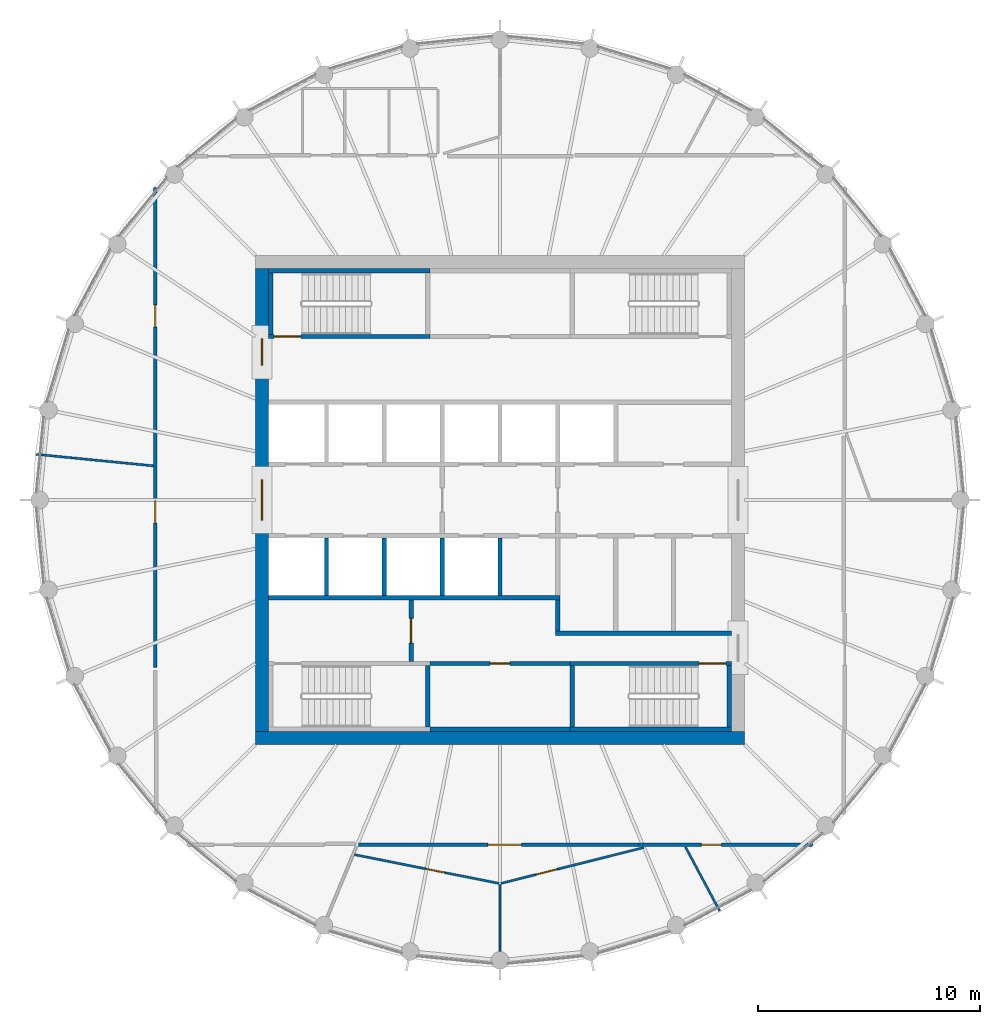
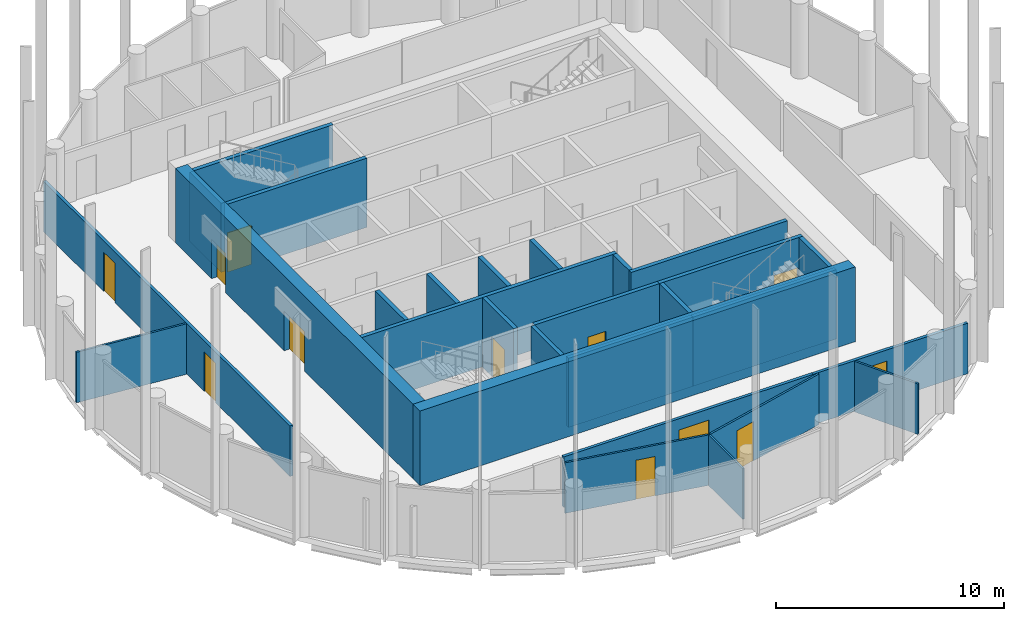
# One storey, part 4 of 7: 28 walls, 12 doors, 12 openings.
"""IFC4 building model written with IfcOpenShell, lengths in metres."""

from ifc_helpers import new_model, si_unit, direction, frame, frame_2d, origin, place, context, subcontext, project, spatial, polyline, rectangle, outline, extrude, material, layer, layer_set, type_object, element, fill, save


model = new_model("IFC4")

# Units and contexts
model_context = context("Model", 3, precision=1e-05, world=origin(), true_north=direction((0.0, 1.0)))
body_context = subcontext(model_context, "Body", "Model", "MODEL_VIEW")
ifc_project = project(units=[si_unit("LENGTHUNIT", "METRE"), si_unit("AREAUNIT", "SQUARE_METRE"), si_unit("VOLUMEUNIT", "CUBIC_METRE"), si_unit("PLANEANGLEUNIT", "RADIAN"), si_unit("MASSUNIT", "GRAM", prefix="KILO")], contexts=[model_context])

# Site, building, storey
site_placement = place(None, origin())
site = spatial("IfcSite", under=ifc_project, at=site_placement, CompositionType="ELEMENT")
building_placement = place(site_placement, origin())
building = spatial("IfcBuilding", under=site, at=building_placement, Name="Corvane Civic Tower", CompositionType="ELEMENT")
storey_placement = place(building_placement, frame((0.0, 0.0, 368.5)))
storey = spatial("IfcBuildingStorey", under=building, at=storey_placement, Name="L88", CompositionType="ELEMENT", Elevation=368.5)

# Wall
ifc_material_1 = material(Name="Concrete C40/50", Category="concrete")
ifc_layer_1 = layer(ifc_material_1, 0.60009765625)
ifc_layer_set_1 = layer_set([ifc_layer_1], Name="Concrete C40/50")
wall_type_1 = type_object("IfcWallType", Name="CORE WALL 600 C40/50", PredefinedType="SHEAR", material=ifc_layer_set_1)
wall_1_placement = place(storey_placement, frame((-11.0, -10.699951171875, 0.0), z_axis=(0.0, 0.0, 1.0), x_axis=(1.0, 0.0, 0.0)))
element("IfcWall", 1, at=wall_1_placement, inside=storey, type_object=wall_type_1, Name="W-L88-core-S", PredefinedType="SHEAR", context=body_context, shape_type="SweptSolid", body=[
    extrude(rectangle(XDim=22.0, YDim=0.60009765625, at=frame_2d((11.0, 0.0))), origin(), (0.0, 0.0, 1.0), 4.0),
])

# Wall, openings, doors
wall_2_placement = place(storey_placement, frame((-10.699951171875, -10.39990234375, 0.0), z_axis=(0.0, 0.0, 1.0), x_axis=(0.0, 1.0, 0.0)))
wall_2 = element("IfcWall", 2, at=wall_2_placement, inside=storey, type_object=wall_type_1, Name="W-L88-core-W", PredefinedType="SHEAR", context=body_context, shape_type="SweptSolid", body=[
    extrude(rectangle(XDim=20.7998046875, YDim=0.60009765625, at=frame_2d((10.39990234375, 0.0))), origin(), (0.0, 0.0, 1.0), 4.0),
])
opening_1_placement = place(wall_2_placement, frame((9.5, 0.0, 0.0)))
opening_1 = element("IfcOpeningElement", 3, at=opening_1_placement, cuts=wall_2, Name="Opening L88.C15", PredefinedType="OPENING", context=body_context, shape_type="SweptSolid", body=[
    extrude(rectangle(XDim=1.800048828125, YDim=2.10009765625, at=frame_2d((0.89990234375, 1.050048828125))), frame((0.0, 0.31005859375, 0.0), z_axis=(0.0, -1.0, 0.0), x_axis=(1.0, 0.0, 0.0)), (0.0, 0.0, 1.0), 0.6201171875),
])
opening_2_placement = place(wall_2_placement, frame((16.449951171875, 0.0, 0.0)))
opening_2 = element("IfcOpeningElement", 4, at=opening_2_placement, cuts=wall_2, Name="Opening L88.C17", PredefinedType="OPENING", context=body_context, shape_type="SweptSolid", body=[
    extrude(rectangle(XDim=1.199951171875, YDim=2.10009765625, at=frame_2d((0.60009765625, 1.050048828125))), frame((0.0, 0.31005859375, 0.0), z_axis=(0.0, -1.0, 0.0), x_axis=(1.0, 0.0, 0.0)), (0.0, 0.0, 1.0), 0.6201171875),
])
ifc_material_2 = material(Name="Steel fire door leaf", Category="steel")
door_type_1 = type_object("IfcDoorType", Name="CR-DOOR-CORE-1800", OperationType="DOUBLE_DOOR_SINGLE_SWING", PredefinedType="DOOR", material=ifc_material_2)
door_1_placement = place(opening_1_placement, origin())
door_1 = element("IfcDoor", 5, at=door_1_placement, inside=storey, type_object=door_type_1, Name="L88 door", OperationType="DOUBLE_DOOR_SINGLE_SWING", OverallHeight=2.10009765625, OverallWidth=1.800048828125, PredefinedType="DOOR", context=body_context, shape_type="SweptSolid", body=[
    extrude(rectangle(XDim=1.800048828125, YDim=2.10009765625, at=frame_2d((0.89990234375, 1.050048828125))), frame((0.0, 0.02490234375, 0.0), z_axis=(0.0, -1.0, 0.0), x_axis=(1.0, 0.0, 0.0)), (0.0, 0.0, 1.0), 0.050048828125),
])
fill(opening_1, door_1)
door_2_placement = place(opening_2_placement, origin())
door_2 = element("IfcDoor", 6, at=door_2_placement, inside=storey, type_object=door_type_1, Name="L88 door", OperationType="DOUBLE_DOOR_SINGLE_SWING", OverallHeight=2.10009765625, OverallWidth=1.199951171875, PredefinedType="DOOR", context=body_context, shape_type="SweptSolid", body=[
    extrude(rectangle(XDim=1.199951171875, YDim=2.10009765625, at=frame_2d((0.60009765625, 1.050048828125))), frame((0.0, 0.02490234375, 0.0), z_axis=(0.0, -1.0, 0.0), x_axis=(1.0, 0.0, 0.0)), (0.0, 0.0, 1.0), 0.050048828125),
])
fill(opening_2, door_2)

# Wall, opening, door
ifc_material_3 = material(Name="Concrete C30/37", Category="concrete")
ifc_layer_2 = layer(ifc_material_3, 0.199951171875)
ifc_layer_set_2 = layer_set([ifc_layer_2], Name="Concrete C30/37")
wall_type_2 = type_object("IfcWallType", Name="CR-WALL-200", PredefinedType="PARTITIONING", material=ifc_layer_set_2)
wall_3_placement = place(storey_placement, frame((-3.14990234375, -7.35009765625, 0.0), z_axis=(0.0, 0.0, 1.0), x_axis=(1.0, 0.0, 0.0)))
wall_3 = element("IfcWall", 7, at=wall_3_placement, inside=storey, type_object=wall_type_2, Name="L88 core partition wall", PredefinedType="PARTITIONING", context=body_context, shape_type="SweptSolid", body=[
    extrude(rectangle(XDim=6.2998046875, YDim=0.199951171875, at=frame_2d((3.14990234375, 0.0))), origin(), (0.0, 0.0, 1.0), 3.699951171875),
])
opening_3_placement = place(wall_3_placement, frame((2.699951171875, 0.0, 0.0)))
opening_3 = element("IfcOpeningElement", 8, at=opening_3_placement, cuts=wall_3, Name="Opening L88.C07", PredefinedType="OPENING", context=body_context, shape_type="SweptSolid", body=[
    extrude(rectangle(XDim=0.89990234375, YDim=2.10009765625, at=frame_2d((0.449951171875, 1.050048828125))), frame((0.0, 0.10986328125, 0.0), z_axis=(0.0, -1.0, 0.0), x_axis=(1.0, 0.0, 0.0)), (0.0, 0.0, 1.0), 0.219970703125),
])
ifc_material_4 = material(Name="Steel fire door leaf", Category="steel")
door_type_2 = type_object("IfcDoorType", Name="CR-DOOR-900", OperationType="SINGLE_SWING_LEFT", PredefinedType="DOOR", material=ifc_material_4)
door_3_placement = place(opening_3_placement, origin())
door_3 = element("IfcDoor", 9, at=door_3_placement, inside=storey, type_object=door_type_2, Name="L88 door", OperationType="SINGLE_SWING_LEFT", OverallHeight=2.10009765625, OverallWidth=0.89990234375, PredefinedType="DOOR", context=body_context, shape_type="SweptSolid", body=[
    extrude(rectangle(XDim=0.89990234375, YDim=2.10009765625, at=frame_2d((0.449951171875, 1.050048828125))), frame((0.0, 0.02490234375, 0.0), z_axis=(0.0, -1.0, 0.0), x_axis=(1.0, 0.0, 0.0)), (0.0, 0.0, 1.0), 0.050048828125),
])
fill(opening_3, door_3)

wall_4_placement = place(storey_placement, frame((-4.0, -7.25, 0.0), z_axis=(0.0, 0.0, 1.0), x_axis=(0.0, 1.0, 0.0)))
wall_4 = element("IfcWall", 10, at=wall_4_placement, inside=storey, type_object=wall_type_2, Name="L88 core partition wall", PredefinedType="PARTITIONING", context=body_context, shape_type="SweptSolid", body=[
    extrude(rectangle(XDim=2.75, YDim=0.199951171875, at=frame_2d((1.375, 0.0))), origin(), (0.0, 0.0, 1.0), 3.699951171875),
])
opening_4_placement = place(wall_4_placement, frame((0.824951171875, 0.0, 0.0)))
opening_4 = element("IfcOpeningElement", 11, at=opening_4_placement, cuts=wall_4, Name="Opening L88.C14", PredefinedType="OPENING", context=body_context, shape_type="SweptSolid", body=[
    extrude(rectangle(XDim=1.10009765625, YDim=2.10009765625, at=frame_2d((0.550048828125, 1.050048828125))), frame((0.0, 0.10986328125, 0.0), z_axis=(0.0, -1.0, 0.0), x_axis=(1.0, 0.0, 0.0)), (0.0, 0.0, 1.0), 0.219970703125),
])
ifc_material_5 = material(Name="Steel fire door leaf", Category="steel")
door_type_3 = type_object("IfcDoorType", Name="CR-DOOR-FFL-1100", OperationType="SINGLE_SWING_LEFT", PredefinedType="DOOR", material=ifc_material_5)
door_4_placement = place(opening_4_placement, origin())
door_4 = element("IfcDoor", 12, at=door_4_placement, inside=storey, type_object=door_type_3, Name="L88 lobby door", OperationType="SINGLE_SWING_LEFT", OverallHeight=2.10009765625, OverallWidth=1.10009765625, PredefinedType="DOOR", context=body_context, shape_type="SweptSolid", body=[
    extrude(rectangle(XDim=1.10009765625, YDim=2.10009765625, at=frame_2d((0.550048828125, 1.050048828125))), frame((0.0, 0.02490234375, 0.0), z_axis=(0.0, -1.0, 0.0), x_axis=(1.0, 0.0, 0.0)), (0.0, 0.0, 1.0), 0.050048828125),
])
fill(opening_4, door_4)

# Walls
wall_5_placement = place(storey_placement, origin())
element("IfcWall", 13, at=wall_5_placement, inside=storey, type_object=wall_type_2, Name="L88 core partition wall", PredefinedType="PARTITIONING", context=body_context, shape_type="SweptSolid", body=[
    extrude(outline(polyline([(2.699951171875, -4.300048828125), (2.699951171875, -4.5), (-10.39990234375, -4.5), (-10.39990234375, -4.300048828125), (2.699951171875, -4.300048828125)])), origin(), (0.0, 0.0, 1.0), 3.699951171875),
])
wall_6_placement = place(storey_placement, origin())
element("IfcWall", 14, at=wall_6_placement, inside=storey, type_object=wall_type_2, Name="L88 core partition wall", PredefinedType="PARTITIONING", context=body_context, shape_type="SweptSolid", body=[
    extrude(outline(polyline([(10.39990234375, -6.10009765625), (2.5, -6.10009765625), (2.5, -5.89990234375), (10.39990234375, -5.89990234375), (10.39990234375, -6.10009765625)])), origin(), (0.0, 0.0, 1.0), 3.699951171875),
])
wall_7_placement = place(storey_placement, origin())
element("IfcWall", 15, at=wall_7_placement, inside=storey, type_object=wall_type_2, Name="L88 core partition wall", PredefinedType="PARTITIONING", context=body_context, shape_type="SweptSolid", body=[
    extrude(outline(polyline([(-2.5, -1.699951171875), (-2.5, -4.2998046875), (-2.699951171875, -4.2998046875), (-2.699951171875, -1.699951171875), (-2.5, -1.699951171875)])), origin(), (0.0, 0.0, 1.0), 3.699951171875),
])
wall_8_placement = place(storey_placement, origin())
element("IfcWall", 16, at=wall_8_placement, inside=storey, type_object=wall_type_2, Name="L88 core partition wall", PredefinedType="PARTITIONING", context=body_context, shape_type="SweptSolid", body=[
    extrude(outline(polyline([(0.10009765625, -1.699951171875), (0.10009765625, -4.2998046875), (-0.10009765625, -4.2998046875), (-0.10009765625, -1.699951171875), (0.10009765625, -1.699951171875)])), origin(), (0.0, 0.0, 1.0), 3.699951171875),
])
wall_9_placement = place(storey_placement, origin())
element("IfcWall", 17, at=wall_9_placement, inside=storey, type_object=wall_type_2, Name="L88 core partition wall", PredefinedType="PARTITIONING", context=body_context, shape_type="SweptSolid", body=[
    extrude(outline(polyline([(-7.699951171875, -1.699951171875), (-7.699951171875, -4.2998046875), (-7.89990234375, -4.2998046875), (-7.89990234375, -1.699951171875), (-7.699951171875, -1.699951171875)])), origin(), (0.0, 0.0, 1.0), 3.699951171875),
])
wall_10_placement = place(storey_placement, origin())
element("IfcWall", 18, at=wall_10_placement, inside=storey, type_object=wall_type_2, Name="L88 core partition wall", PredefinedType="PARTITIONING", context=body_context, shape_type="SweptSolid", body=[
    extrude(outline(polyline([(-5.10009765625, -1.699951171875), (-5.10009765625, -4.2998046875), (-5.300048828125, -4.2998046875), (-5.300048828125, -1.699951171875), (-5.10009765625, -1.699951171875)])), origin(), (0.0, 0.0, 1.0), 3.699951171875),
])
wall_11_placement = place(storey_placement, origin())
element("IfcWall", 19, at=wall_11_placement, inside=storey, type_object=wall_type_2, Name="L88 core partition wall", PredefinedType="PARTITIONING", context=body_context, shape_type="SweptSolid", body=[
    extrude(outline(polyline([(2.699951171875, -5.89990234375), (2.5, -5.89990234375), (2.5, -4.5), (2.699951171875, -4.5), (2.699951171875, -5.89990234375)])), origin(), (0.0, 0.0, 1.0), 3.699951171875),
])
wall_12_placement = place(storey_placement, origin())
element("IfcWall", 20, at=wall_12_placement, inside=storey, type_object=wall_type_2, Name="L88 core partition wall", PredefinedType="PARTITIONING", context=body_context, shape_type="SweptSolid", body=[
    extrude(outline(polyline([(3.14990234375, -10.199951171875), (3.14990234375, -10.39990234375), (-3.14990234375, -10.39990234375), (-3.14990234375, -10.199951171875), (3.14990234375, -10.199951171875)])), origin(), (0.0, 0.0, 1.0), 3.699951171875),
])
ifc_material_6 = material(Name="Plasterboard")
ifc_layer_3 = layer(ifc_material_6, 0.10009765625)
ifc_layer_set_3 = layer_set([ifc_layer_3], Name="Plasterboard")
wall_type_3 = type_object("IfcWallType", Name="Partition 100 plasterboard on studs", PredefinedType="PARTITIONING", material=ifc_layer_set_3)
wall_13_placement = place(storey_placement, frame((0.0, -20.2900390625, 0.0), z_axis=(0.0, 0.0, 1.0), x_axis=(0.0, 1.0, 0.0)))
element("IfcWall", 21, at=wall_13_placement, inside=storey, type_object=wall_type_3, Name="Partition L88.001", PredefinedType="PARTITIONING", context=body_context, shape_type="SweptSolid", body=[
    extrude(rectangle(XDim=3.003173828125, YDim=0.10009765625, at=frame_2d((1.50146484375, 0.0))), origin(), (0.0, 0.0, 1.0), 2.699951171875),
])
wall_14_placement = place(storey_placement, frame((8.337646484375, -15.5986328125, 0.0), z_axis=(0.0, 0.0, 1.0), x_axis=(0.471438475103, -0.881898953505, 0.0)))
element("IfcWall", 22, at=wall_14_placement, inside=storey, type_object=wall_type_3, Name="Partition L88.003", PredefinedType="PARTITIONING", context=body_context, shape_type="SweptSolid", body=[
    extrude(rectangle(XDim=3.262939453125, YDim=0.10009765625, at=frame_2d((1.63134765625, 0.0))), origin(), (0.0, 0.0, 1.0), 2.699951171875),
])

# Wall, opening, door
wall_15_placement = place(storey_placement, frame((-6.539794921875, -15.94482421875, 0.0), z_axis=(0.0, 0.0, 1.0), x_axis=(0.980781368201, -0.195109988956, 0.0)))
wall_15 = element("IfcWall", 23, at=wall_15_placement, inside=storey, type_object=wall_type_3, Name="Partition L88.004", PredefinedType="PARTITIONING", context=body_context, shape_type="SweptSolid", body=[
    extrude(rectangle(XDim=6.626953125, YDim=0.10009765625, at=frame_2d((3.3134765625, 0.0))), origin(), (0.0, 0.0, 1.0), 2.699951171875),
])
opening_5_placement = place(wall_15_placement, frame((3.2666015625, 0.0, 0.0)))
opening_5 = element("IfcOpeningElement", 24, at=opening_5_placement, cuts=wall_15, Name="Opening L88.014", PredefinedType="OPENING", context=body_context, shape_type="SweptSolid", body=[
    extrude(rectangle(XDim=0.89990234375, YDim=2.10009765625, at=frame_2d((0.449951171875, 1.050048828125))), frame((0.0, 0.06005859375, 0.0), z_axis=(0.0, -1.0, 0.0), x_axis=(1.0, 0.0, 0.0)), (0.0, 0.0, 1.0), 0.1201171875),
])
ifc_material_7 = material(Name="Timber", Category="wood")
door_type_4 = type_object("IfcDoorType", Name="Single door 900", OperationType="NOTDEFINED", PredefinedType="DOOR", material=ifc_material_7)
door_5_placement = place(opening_5_placement, frame((0.89990234375, 0.0, 0.0), z_axis=(0.0, 0.0, 1.0), x_axis=(-1.0, 0.0, 0.0)))
door_5 = element("IfcDoor", 25, at=door_5_placement, inside=storey, type_object=door_type_4, Name="Door L88.014", OperationType="SINGLE_SWING_LEFT", OverallHeight=2.10009765625, OverallWidth=0.89990234375, PredefinedType="DOOR", context=body_context, shape_type="SweptSolid", body=[
    extrude(rectangle(XDim=0.89990234375, YDim=2.10009765625, at=frame_2d((0.449951171875, 1.050048828125))), frame((0.0, 0.02490234375, 0.0), z_axis=(0.0, -1.0, 0.0), x_axis=(1.0, 0.0, 0.0)), (0.0, 0.0, 1.0), 0.050048828125),
])
fill(opening_5, door_5)

wall_16_placement = place(storey_placement, frame((0.037841796875, -17.236328125, 0.0), z_axis=(0.0, 0.0, 1.0), x_axis=(0.970031803934, 0.242977981216, 0.0)))
wall_16 = element("IfcWall", 26, at=wall_16_placement, inside=storey, type_object=wall_type_3, Name="Partition L88.005", PredefinedType="PARTITIONING", context=body_context, shape_type="SweptSolid", body=[
    extrude(rectangle(XDim=6.62255859375, YDim=0.10009765625, at=frame_2d((3.311279296875, 0.0))), origin(), (0.0, 0.0, 1.0), 2.699951171875),
])
opening_6_placement = place(wall_16_placement, frame((1.625244140625, 0.0, 0.0)))
opening_6 = element("IfcOpeningElement", 27, at=opening_6_placement, cuts=wall_16, Name="Opening L88.013", PredefinedType="OPENING", context=body_context, shape_type="SweptSolid", body=[
    extrude(rectangle(XDim=1.0, YDim=2.10009765625, at=frame_2d((0.5, 1.050048828125))), frame((0.0, 0.06005859375, 0.0), z_axis=(0.0, -1.0, 0.0), x_axis=(1.0, 0.0, 0.0)), (0.0, 0.0, 1.0), 0.1201171875),
])
ifc_material_8 = material(Name="Timber", Category="wood")
door_type_5 = type_object("IfcDoorType", Name="Single door 1000", OperationType="NOTDEFINED", PredefinedType="DOOR", material=ifc_material_8)
door_6_placement = place(opening_6_placement, frame((1.0, 0.0, 0.0), z_axis=(0.0, 0.0, 1.0), x_axis=(-1.0, 0.0, 0.0)))
door_6 = element("IfcDoor", 28, at=door_6_placement, inside=storey, type_object=door_type_5, Name="Door L88.013", OperationType="SINGLE_SWING_RIGHT", OverallHeight=2.10009765625, OverallWidth=1.0, PredefinedType="DOOR", context=body_context, shape_type="SweptSolid", body=[
    extrude(rectangle(XDim=1.0, YDim=2.10009765625, at=frame_2d((0.5, 1.050048828125))), frame((0.0, 0.02490234375, 0.0), z_axis=(0.0, -1.0, 0.0), x_axis=(1.0, 0.0, 0.0)), (0.0, 0.0, 1.0), 0.050048828125),
])
fill(opening_6, door_6)

# Wall
wall_17_placement = place(storey_placement, frame((-20.849365234375, 2.053466796875, 0.0), z_axis=(0.0, 0.0, 1.0), x_axis=(0.995184000064, -0.098024517427, 0.0)))
element("IfcWall", 29, at=wall_17_placement, inside=storey, type_object=wall_type_3, Name="Partition L88.018", PredefinedType="PARTITIONING", context=body_context, shape_type="SweptSolid", body=[
    extrude(rectangle(XDim=5.294921875, YDim=0.10009765625, at=frame_2d((2.6474609375, 0.0))), origin(), (0.0, 0.0, 1.0), 2.699951171875),
])

# Wall, opening, door
ifc_material_9 = material(Name="Concrete C50/60", Category="concrete")
ifc_layer_4 = layer(ifc_material_9, 0.199951171875)
ifc_layer_set_4 = layer_set([ifc_layer_4], Name="Concrete C50/60")
wall_type_4 = type_object("IfcWallType", Name="ST-WALL-200", PredefinedType="SHEAR", material=ifc_layer_set_4)
wall_18_placement = place(storey_placement, frame((3.14990234375, -7.35009765625, 0.0), z_axis=(0.0, 0.0, 1.0), x_axis=(1.0, 0.0, 0.0)))
wall_18 = element("IfcWall", 30, at=wall_18_placement, inside=storey, type_object=wall_type_4, Name="L88 stair enclosure wall", PredefinedType="SHEAR", context=body_context, shape_type="SweptSolid", body=[
    extrude(rectangle(XDim=7.25, YDim=0.199951171875, at=frame_2d((3.625, 0.0))), origin(), (0.0, 0.0, 1.0), 3.699951171875),
])
opening_7_placement = place(wall_18_placement, frame((5.800048828125, 0.0, 0.0)))
opening_7 = element("IfcOpeningElement", 31, at=opening_7_placement, cuts=wall_18, Name="Opening L88.C10", PredefinedType="OPENING", context=body_context, shape_type="SweptSolid", body=[
    extrude(rectangle(XDim=1.199951171875, YDim=2.10009765625, at=frame_2d((0.60009765625, 1.050048828125))), frame((0.0, 0.10986328125, 0.0), z_axis=(0.0, -1.0, 0.0), x_axis=(1.0, 0.0, 0.0)), (0.0, 0.0, 1.0), 0.219970703125),
])
ifc_material_10 = material(Name="Steel fire door leaf", Category="steel")
door_type_6 = type_object("IfcDoorType", Name="ST-DOOR-1200", OperationType="SINGLE_SWING_RIGHT", PredefinedType="DOOR", material=ifc_material_10)
door_7_placement = place(opening_7_placement, origin())
door_7 = element("IfcDoor", 32, at=door_7_placement, inside=storey, type_object=door_type_6, Name="L88 stair door", OperationType="SINGLE_SWING_RIGHT", OverallHeight=2.10009765625, OverallWidth=1.199951171875, PredefinedType="DOOR", context=body_context, shape_type="SweptSolid", body=[
    extrude(rectangle(XDim=1.199951171875, YDim=2.10009765625, at=frame_2d((0.60009765625, 1.050048828125))), frame((0.0, 0.02490234375, 0.0), z_axis=(0.0, -1.0, 0.0), x_axis=(1.0, 0.0, 0.0)), (0.0, 0.0, 1.0), 0.050048828125),
])
fill(opening_7, door_7)

wall_19_placement = place(storey_placement, frame((-10.39990234375, 7.35009765625, 0.0), z_axis=(0.0, 0.0, 1.0), x_axis=(1.0, 0.0, 0.0)))
wall_19 = element("IfcWall", 33, at=wall_19_placement, inside=storey, type_object=wall_type_4, Name="L88 stair enclosure wall", PredefinedType="SHEAR", context=body_context, shape_type="SweptSolid", body=[
    extrude(rectangle(XDim=7.25, YDim=0.199951171875, at=frame_2d((3.625, 0.0))), origin(), (0.0, 0.0, 1.0), 3.699951171875),
])
opening_8_placement = place(wall_19_placement, frame((0.25, 0.0, 0.0)))
opening_8 = element("IfcOpeningElement", 34, at=opening_8_placement, cuts=wall_19, Name="Opening L88.C09", PredefinedType="OPENING", context=body_context, shape_type="SweptSolid", body=[
    extrude(rectangle(XDim=1.199951171875, YDim=2.10009765625, at=frame_2d((0.60009765625, 1.050048828125))), frame((0.0, 0.10986328125, 0.0), z_axis=(0.0, -1.0, 0.0), x_axis=(1.0, 0.0, 0.0)), (0.0, 0.0, 1.0), 0.219970703125),
])
door_8_placement = place(opening_8_placement, origin())
door_8 = element("IfcDoor", 35, at=door_8_placement, inside=storey, type_object=door_type_6, Name="L88 stair door", OperationType="SINGLE_SWING_RIGHT", OverallHeight=2.10009765625, OverallWidth=1.199951171875, PredefinedType="DOOR", context=body_context, shape_type="SweptSolid", body=[
    extrude(rectangle(XDim=1.199951171875, YDim=2.10009765625, at=frame_2d((0.60009765625, 1.050048828125))), frame((0.0, 0.02490234375, 0.0), z_axis=(0.0, -1.0, 0.0), x_axis=(1.0, 0.0, 0.0)), (0.0, 0.0, 1.0), 0.050048828125),
])
fill(opening_8, door_8)

# Walls
wall_20_placement = place(storey_placement, origin())
element("IfcWall", 36, at=wall_20_placement, inside=storey, type_object=wall_type_4, Name="L88 stair enclosure wall", PredefinedType="SHEAR", context=body_context, shape_type="SweptSolid", body=[
    extrude(outline(polyline([(-3.14990234375, 10.199951171875), (-10.39990234375, 10.199951171875), (-10.39990234375, 10.39990234375), (-3.14990234375, 10.39990234375), (-3.14990234375, 10.199951171875)])), origin(), (0.0, 0.0, 1.0), 3.699951171875),
])
wall_21_placement = place(storey_placement, origin())
element("IfcWall", 37, at=wall_21_placement, inside=storey, type_object=wall_type_4, Name="L88 stair enclosure wall", PredefinedType="SHEAR", context=body_context, shape_type="SweptSolid", body=[
    extrude(outline(polyline([(10.39990234375, -10.39990234375), (3.14990234375, -10.39990234375), (3.14990234375, -10.199951171875), (10.39990234375, -10.199951171875), (10.39990234375, -10.39990234375)])), origin(), (0.0, 0.0, 1.0), 3.699951171875),
])
wall_22_placement = place(storey_placement, origin())
element("IfcWall", 38, at=wall_22_placement, inside=storey, type_object=wall_type_4, Name="L88 stair enclosure wall", PredefinedType="SHEAR", context=body_context, shape_type="SweptSolid", body=[
    extrude(outline(polyline([(-3.14990234375, -7.449951171875), (-3.14990234375, -10.199951171875), (-3.35009765625, -10.199951171875), (-3.35009765625, -7.449951171875), (-3.14990234375, -7.449951171875)])), origin(), (0.0, 0.0, 1.0), 3.699951171875),
])
wall_23_placement = place(storey_placement, origin())
element("IfcWall", 39, at=wall_23_placement, inside=storey, type_object=wall_type_4, Name="L88 stair enclosure wall", PredefinedType="SHEAR", context=body_context, shape_type="SweptSolid", body=[
    extrude(outline(polyline([(3.35009765625, -7.449951171875), (3.35009765625, -10.199951171875), (3.14990234375, -10.199951171875), (3.14990234375, -7.449951171875), (3.35009765625, -7.449951171875)])), origin(), (0.0, 0.0, 1.0), 3.699951171875),
])
wall_24_placement = place(storey_placement, origin())
element("IfcWall", 40, at=wall_24_placement, inside=storey, type_object=wall_type_4, Name="L88 stair enclosure wall", PredefinedType="SHEAR", context=body_context, shape_type="SweptSolid", body=[
    extrude(outline(polyline([(-10.199951171875, 7.449951171875), (-10.39990234375, 7.449951171875), (-10.39990234375, 10.199951171875), (-10.199951171875, 10.199951171875), (-10.199951171875, 7.449951171875)])), origin(), (0.0, 0.0, 1.0), 3.699951171875),
])
wall_25_placement = place(storey_placement, origin())
element("IfcWall", 41, at=wall_25_placement, inside=storey, type_object=wall_type_4, Name="L88 stair enclosure wall", PredefinedType="SHEAR", context=body_context, shape_type="SweptSolid", body=[
    extrude(outline(polyline([(10.39990234375, -7.449951171875), (10.39990234375, -10.199951171875), (10.199951171875, -10.199951171875), (10.199951171875, -7.449951171875), (10.39990234375, -7.449951171875)])), origin(), (0.0, 0.0, 1.0), 3.699951171875),
])

# Wall, opening, door
ifc_material_11 = material(Name="Plasterboard")
ifc_layer_5 = layer(ifc_material_11, 0.14990234375)
ifc_layer_set_5 = layer_set([ifc_layer_5], Name="Plasterboard")
wall_type_5 = type_object("IfcWallType", Name="Tenancy wall 150 EI 60", PredefinedType="PARTITIONING", material=ifc_layer_set_5)
wall_26_placement = place(storey_placement, frame((-6.3701171875, -15.5, 0.0), z_axis=(0.0, 0.0, 1.0), x_axis=(1.0, 0.0, 0.0)))
wall_26 = element("IfcWall", 42, at=wall_26_placement, inside=storey, type_object=wall_type_5, Name="Partition L88.007", PredefinedType="PARTITIONING", context=body_context, shape_type="SweptSolid", body=[
    extrude(rectangle(XDim=12.603759765625, YDim=0.14990234375, at=frame_2d((6.3017578125, 0.0))), origin(), (0.0, 0.0, 1.0), 2.699951171875),
])
opening_9_placement = place(wall_26_placement, frame((5.83056640625, 0.0, 0.0)))
opening_9 = element("IfcOpeningElement", 43, at=opening_9_placement, cuts=wall_26, Name="Opening L88.015", PredefinedType="OPENING", context=body_context, shape_type="SweptSolid", body=[
    extrude(rectangle(XDim=1.5, YDim=2.10009765625, at=frame_2d((0.75, 1.050048828125))), frame((0.0, 0.0849609375, 0.0), z_axis=(0.0, -1.0, 0.0), x_axis=(1.0, 0.0, 0.0)), (0.0, 0.0, 1.0), 0.169921875),
])
ifc_material_12 = material(Name="Steel and timber", Category="steel")
door_type_7 = type_object("IfcDoorType", Name="Fire door FD60 double 1500", OperationType="NOTDEFINED", PredefinedType="DOOR", material=ifc_material_12)
door_9_placement = place(opening_9_placement, frame((1.5, 0.0, 0.0), z_axis=(0.0, 0.0, 1.0), x_axis=(-1.0, 0.0, 0.0)))
door_9 = element("IfcDoor", 44, at=door_9_placement, inside=storey, type_object=door_type_7, Name="Door L88.015", OperationType="DOUBLE_DOOR_SINGLE_SWING", OverallHeight=2.10009765625, OverallWidth=1.5, PredefinedType="DOOR", context=body_context, shape_type="SweptSolid", body=[
    extrude(rectangle(XDim=1.5, YDim=2.10009765625, at=frame_2d((0.75, 1.050048828125))), frame((0.0, 0.02490234375, 0.0), z_axis=(0.0, -1.0, 0.0), x_axis=(1.0, 0.0, 0.0)), (0.0, 0.0, 1.0), 0.050048828125),
])
fill(opening_9, door_9)

wall_27_placement = place(storey_placement, frame((6.233642578125, -15.5, 0.0), z_axis=(0.0, 0.0, 1.0), x_axis=(1.0, 0.0, 0.0)))
wall_27 = element("IfcWall", 45, at=wall_27_placement, inside=storey, type_object=wall_type_5, Name="Partition L88.008", PredefinedType="PARTITIONING", context=body_context, shape_type="SweptSolid", body=[
    extrude(rectangle(XDim=7.823486328125, YDim=0.14990234375, at=frame_2d((3.91162109375, 0.0))), origin(), (0.0, 0.0, 1.0), 2.699951171875),
])
opening_10_placement = place(wall_27_placement, frame((2.823486328125, 0.0, 0.0)))
opening_10 = element("IfcOpeningElement", 46, at=opening_10_placement, cuts=wall_27, Name="Opening L88.012", PredefinedType="OPENING", context=body_context, shape_type="SweptSolid", body=[
    extrude(rectangle(XDim=0.89990234375, YDim=2.10009765625, at=frame_2d((0.449951171875, 1.050048828125))), frame((0.0, 0.0849609375, 0.0), z_axis=(0.0, -1.0, 0.0), x_axis=(1.0, 0.0, 0.0)), (0.0, 0.0, 1.0), 0.169921875),
])
ifc_material_13 = material(Name="Steel and timber", Category="steel")
door_type_8 = type_object("IfcDoorType", Name="Fire door FD30S 900", OperationType="NOTDEFINED", PredefinedType="DOOR", material=ifc_material_13)
door_10_placement = place(opening_10_placement, frame((0.89990234375, 0.0, 0.0), z_axis=(0.0, 0.0, 1.0), x_axis=(-1.0, 0.0, 0.0)))
door_10 = element("IfcDoor", 47, at=door_10_placement, inside=storey, type_object=door_type_8, Name="Door L88.012", OperationType="SINGLE_SWING_LEFT", OverallHeight=2.10009765625, OverallWidth=0.89990234375, PredefinedType="DOOR", context=body_context, shape_type="SweptSolid", body=[
    extrude(rectangle(XDim=0.89990234375, YDim=2.10009765625, at=frame_2d((0.449951171875, 1.050048828125))), frame((0.0, 0.02490234375, 0.0), z_axis=(0.0, -1.0, 0.0), x_axis=(1.0, 0.0, 0.0)), (0.0, 0.0, 1.0), 0.050048828125),
])
fill(opening_10, door_10)

# Wall, openings, doors
wall_28_placement = place(storey_placement, frame((-15.5, -7.535400390625, 0.0), z_axis=(0.0, 0.0, 1.0), x_axis=(0.0, 1.0, 0.0)))
wall_28 = element("IfcWall", 48, at=wall_28_placement, inside=storey, type_object=wall_type_5, Name="Partition L88.014", PredefinedType="PARTITIONING", context=body_context, shape_type="SweptSolid", body=[
    extrude(rectangle(XDim=21.592529296875, YDim=0.14990234375, at=frame_2d((10.79638671875, 0.0))), origin(), (0.0, 0.0, 1.0), 2.699951171875),
])
opening_11_placement = place(wall_28_placement, frame((6.5078125, 0.0, 0.0)))
opening_11 = element("IfcOpeningElement", 49, at=opening_11_placement, cuts=wall_28, Name="Opening L88.002", PredefinedType="OPENING", context=body_context, shape_type="SweptSolid", body=[
    extrude(rectangle(XDim=1.0, YDim=2.10009765625, at=frame_2d((0.5, 1.050048828125))), frame((0.0, 0.0849609375, 0.0), z_axis=(0.0, -1.0, 0.0), x_axis=(1.0, 0.0, 0.0)), (0.0, 0.0, 1.0), 0.169921875),
])
opening_12_placement = place(wall_28_placement, frame((15.31201171875, 0.0, 0.0)))
opening_12 = element("IfcOpeningElement", 50, at=opening_12_placement, cuts=wall_28, Name="Opening L88.003", PredefinedType="OPENING", context=body_context, shape_type="SweptSolid", body=[
    extrude(rectangle(XDim=1.0, YDim=2.10009765625, at=frame_2d((0.5, 1.050048828125))), frame((0.0, 0.0849609375, 0.0), z_axis=(0.0, -1.0, 0.0), x_axis=(1.0, 0.0, 0.0)), (0.0, 0.0, 1.0), 0.169921875),
])
ifc_material_14 = material(Name="Steel and timber", Category="steel")
door_type_9 = type_object("IfcDoorType", Name="Fire door FD30S 1000", OperationType="NOTDEFINED", PredefinedType="DOOR", material=ifc_material_14)
door_11_placement = place(opening_11_placement, origin())
door_11 = element("IfcDoor", 51, at=door_11_placement, inside=storey, type_object=door_type_9, Name="Door L88.002", OperationType="SINGLE_SWING_LEFT", OverallHeight=2.10009765625, OverallWidth=1.0, PredefinedType="DOOR", context=body_context, shape_type="SweptSolid", body=[
    extrude(rectangle(XDim=1.0, YDim=2.10009765625, at=frame_2d((0.5, 1.050048828125))), frame((0.0, 0.02490234375, 0.0), z_axis=(0.0, -1.0, 0.0), x_axis=(1.0, 0.0, 0.0)), (0.0, 0.0, 1.0), 0.050048828125),
])
fill(opening_11, door_11)
door_12_placement = place(opening_12_placement, origin())
door_12 = element("IfcDoor", 52, at=door_12_placement, inside=storey, type_object=door_type_9, Name="Door L88.003", OperationType="SINGLE_SWING_LEFT", OverallHeight=2.10009765625, OverallWidth=1.0, PredefinedType="DOOR", context=body_context, shape_type="SweptSolid", body=[
    extrude(rectangle(XDim=1.0, YDim=2.10009765625, at=frame_2d((0.5, 1.050048828125))), frame((0.0, 0.02490234375, 0.0), z_axis=(0.0, -1.0, 0.0), x_axis=(1.0, 0.0, 0.0)), (0.0, 0.0, 1.0), 0.050048828125),
])
fill(opening_12, door_12)

save(model, "model.ifc")
